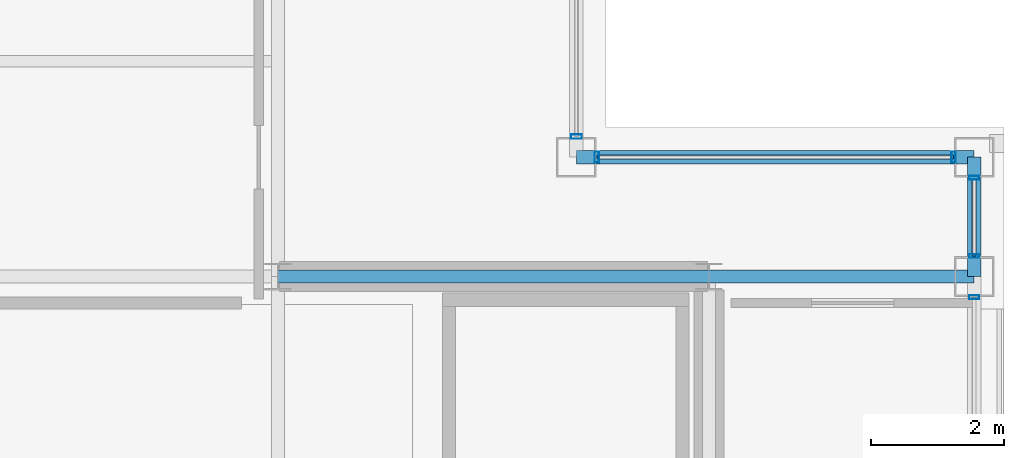
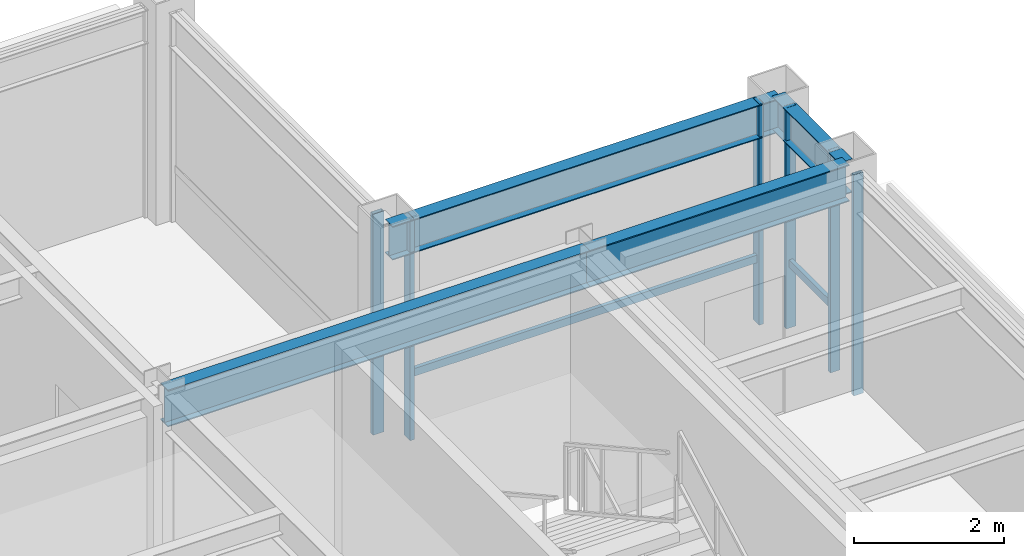
# One storey, part 18 of 28: 8 members, 4 beams, 4 elements without a shape of their own.
"""IFC4 building model written with IfcOpenShell, lengths in metres."""

import ifcopenshell
import ifcopenshell.guid

model = None  # the IFC model being written
_history = None  # IfcOwnerHistory: only IFC2X3 demands one
_inside = {}  # id of a spatial element -> (the spatial element, [elements in it])
_under = {}  # id of a project, library or spatial element -> (it, [spatial elements below it])
_declared = {}  # id of a project -> (the project, [libraries it declares])
_typed = {}  # id of a type object -> (the type object, [elements of that type])
_made_of = {}  # id of a material, layer set ... -> (it, [elements and type objects made of it])


def new_model(schema):
    """Start an empty IFC model of exactly this schema.

    Asked for "IFC4X3", IfcOpenShell would pick the latest addendum, in which some entities
    have other attributes; the version numbers below select the first issue.
    IFC2X3 requires an IfcOwnerHistory on every rooted entity: one is made here for all.
    """
    global model, _history
    if schema == "IFC4X3":
        model = ifcopenshell.file(schema_version=(4, 3, 0, 0))
    else:
        model = ifcopenshell.file(schema=schema)
    _inside.clear()
    _under.clear()
    _declared.clear()
    _typed.clear()
    _made_of.clear()
    _history = None
    if model.schema == "IFC2X3":
        org = make("IfcOrganization", Name="unknown")
        user = make(
            "IfcPersonAndOrganization",
            ThePerson=make("IfcPerson", FamilyName="unknown"),
            TheOrganization=org,
        )
        app = make(
            "IfcApplication",
            ApplicationDeveloper=org,
            Version="unknown",
            ApplicationFullName="unknown",
            ApplicationIdentifier="unknown",
        )
        _history = make(
            "IfcOwnerHistory",
            OwningUser=user,
            OwningApplication=app,
            ChangeAction="ADDED",
            CreationDate=0,
        )
    return model


def make(cls, **values):
    """One entity of the class cls with the attributes given. An attribute that is None is left unset."""
    return model.create_entity(
        cls, **{name: value for name, value in values.items() if value is not None}
    )


def rooted(cls, **values):
    """An entity with a GlobalId (a new one), such as an element, a storey or a relation."""
    return make(cls, GlobalId=ifcopenshell.guid.new(), OwnerHistory=_history, **values)


def si_unit(unit_type, name, prefix=None):
    """IfcSIUnit, for example si_unit("LENGTHUNIT", "METRE", prefix="MILLI")."""
    return make("IfcSIUnit", UnitType=unit_type, Prefix=prefix, Name=name)


def assignment(units):
    """IfcUnitAssignment: the units of a project."""
    return None if units is None else make("IfcUnitAssignment", Units=units)


def point(xyz):
    """IfcCartesianPoint."""
    return None if xyz is None else make("IfcCartesianPoint", Coordinates=xyz)


def direction(xyz):
    """IfcDirection."""
    return None if xyz is None else make("IfcDirection", DirectionRatios=xyz)


def frame(location, z_axis=None, x_axis=None):
    """IfcAxis2Placement3D, a coordinate frame: its origin and axes. An axis left out is left unset."""
    return make(
        "IfcAxis2Placement3D",
        Location=point(location),
        Axis=direction(z_axis),
        RefDirection=direction(x_axis),
    )


def frame_2d(location, x_axis=None):
    """IfcAxis2Placement2D, a coordinate frame in the plane: its origin and x axis."""
    return make(
        "IfcAxis2Placement2D", Location=point(location), RefDirection=direction(x_axis)
    )


def origin():
    """The frame at (0, 0, 0) with its axes left unset."""
    return frame((0.0, 0.0, 0.0))


def origin_2d():
    """The frame at (0, 0) in the plane with its x axis left unset."""
    return frame_2d((0.0, 0.0))


def place(relative_to, where):
    """IfcLocalPlacement: puts the frame where relative to a parent placement (None: the world)."""
    return make(
        "IfcLocalPlacement", PlacementRelTo=relative_to, RelativePlacement=where
    )


def context(
    kind, dimensions, precision=None, world=None, true_north=None, identifier=None
):
    """IfcGeometricRepresentationContext, for example the 3D "Model" context."""
    return make(
        "IfcGeometricRepresentationContext",
        ContextIdentifier=identifier,
        ContextType=kind,
        CoordinateSpaceDimension=dimensions,
        Precision=precision,
        WorldCoordinateSystem=world,
        TrueNorth=true_north,
    )


def subcontext(parent, identifier, kind, view, scale=None):
    """IfcGeometricRepresentationSubContext, for example "Body" below "Model"."""
    return make(
        "IfcGeometricRepresentationSubContext",
        ContextIdentifier=identifier,
        ContextType=kind,
        ParentContext=parent,
        TargetScale=scale,
        TargetView=view,
    )


def project(units=None, contexts=None):
    """IfcProject with its units and contexts."""
    return rooted(
        "IfcProject",
        Name="project",
        RepresentationContexts=contexts,
        UnitsInContext=assignment(units),
    )


def spatial(cls, under=None, at=None, **own):
    """A site, building, storey or space (cls), placed at a placement, below another one or the project."""
    s = rooted(cls, ObjectPlacement=at, **own)
    if under is not None:
        _under.setdefault(under.id(), (under, []))[1].append(s)
    return s


def profile(cls, at=None, kind="AREA", **sizes):
    """A parametric profile (cls). Its sizes go by their IFC names, for example OverallWidth=200.0."""
    return make(cls, ProfileType=kind, Position=at, **sizes)


def hollow_rectangle(**sizes):
    """IfcRectangleHollowProfileDef."""
    return profile("IfcRectangleHollowProfileDef", **sizes)


def i_section(**sizes):
    """IfcIShapeProfileDef."""
    return profile("IfcIShapeProfileDef", **sizes)


def extrude(swept, where, along, depth):
    """IfcExtrudedAreaSolid: the profile swept, set in the frame where, extruded along a direction by depth."""
    return make(
        "IfcExtrudedAreaSolid",
        SweptArea=swept,
        Position=where,
        ExtrudedDirection=direction(along),
        Depth=depth,
    )


def shape(context_of_items, identifier, shape_type, items):
    """IfcShapeRepresentation: the items that make up one representation, for example the "Body"."""
    return make(
        "IfcShapeRepresentation",
        ContextOfItems=context_of_items,
        RepresentationIdentifier=identifier,
        RepresentationType=shape_type,
        Items=items,
    )


def material(Name=None, Category=None):
    """IfcMaterial."""
    return make("IfcMaterial", Name=Name, Category=Category)


def layer(
    of_material, thickness, ventilated=None, Name=None, Category=None, Priority=None
):
    """IfcMaterialLayer: one layer of a wall or slab, of a material (None: an air gap)."""
    return make(
        "IfcMaterialLayer",
        Material=of_material,
        LayerThickness=thickness,
        IsVentilated=ventilated,
        Name=Name,
        Category=Category,
        Priority=Priority,
    )


def layer_set(layers, Name=None):
    """IfcMaterialLayerSet."""
    return make("IfcMaterialLayerSet", MaterialLayers=layers, LayerSetName=Name)


def material_profile(
    of_material, cross_section, Name=None, Category=None, Priority=None
):
    """IfcMaterialProfile: a cross section and its material."""
    return make(
        "IfcMaterialProfile",
        Name=Name,
        Material=of_material,
        Profile=cross_section,
        Priority=Priority,
        Category=Category,
    )


def profile_set(profiles, Name=None, composite=None):
    """IfcMaterialProfileSet."""
    return make(
        "IfcMaterialProfileSet",
        Name=Name,
        MaterialProfiles=profiles,
        CompositeProfile=composite,
    )


def made_of(thing, what):
    """Note that an element or type object is made of a material, layer set ...; save() writes the relation."""
    if what is not None:
        _made_of.setdefault(what.id(), (what, []))[1].append(thing)
    return thing


def type_object(cls, material=None, **own):
    """A type object (cls), such as IfcWallType, which elements share."""
    return made_of(rooted(cls, **own), material)


def element(
    cls,
    number,
    at=None,
    inside=None,
    cuts=None,
    type_object=None,
    material=None,
    context=None,
    identifier="Body",
    shape_type=None,
    held_by="IfcProductDefinitionShape",
    body=None,
    shapes=None,
    **own,
):
    """One element of the class cls, such as IfcWall. Its Tag is "e" and its number.

    at: its placement. inside: the storey or other place that contains it. cuts: it is an
    opening in that element (IfcRelVoidsElement). A single representation is given by context,
    identifier, shape_type and body (its items); several are given by shapes. held_by: the class
    of the entity that holds the representations. save() writes the other relations.
    """
    e = rooted(cls, Tag="e%d" % number, ObjectPlacement=at, **own)
    if body is not None:
        shapes = [shape(context, identifier, shape_type, body)]
    if shapes is not None:
        e.Representation = make(held_by, Representations=shapes)
    if inside is not None:
        _inside.setdefault(inside.id(), (inside, []))[1].append(e)
    if cuts is not None:
        rooted(
            "IfcRelVoidsElement", RelatingBuildingElement=cuts, RelatedOpeningElement=e
        )
    if type_object is not None:
        _typed.setdefault(type_object.id(), (type_object, []))[1].append(e)
    return made_of(e, material)


def aggregate(whole, parts):
    """IfcRelAggregates: a whole, such as a stair, and the parts it consists of."""
    return rooted("IfcRelAggregates", RelatingObject=whole, RelatedObjects=parts)


def save(model, path):
    """Write the relations noted so far, then the file.

    IfcRelAggregates (storeys below a building ...), IfcRelContainedInSpatialStructure (elements
    in a storey), IfcRelDefinesByType, IfcRelAssociatesMaterial and IfcRelDeclares: one each for
    every whole, place, type object, material and project.
    """
    for whole, parts in _under.values():
        aggregate(whole, parts)
    for where, things in _inside.values():
        rooted(
            "IfcRelContainedInSpatialStructure",
            RelatedElements=things,
            RelatingStructure=where,
        )
    for kind, things in _typed.values():
        rooted("IfcRelDefinesByType", RelatedObjects=things, RelatingType=kind)
    for what, things in _made_of.values():
        rooted("IfcRelAssociatesMaterial", RelatedObjects=things, RelatingMaterial=what)
    for by, libraries in _declared.values():
        rooted("IfcRelDeclares", RelatingContext=by, RelatedDefinitions=libraries)
    model.write(path)


model = new_model("IFC4")

# Units and contexts
model_context = context("Model", 3, precision=1e-05, world=origin(), true_north=direction((0.0, 1.0)))
body_context = subcontext(model_context, "Body", "Model", "MODEL_VIEW")
ifc_project = project(units=[si_unit("LENGTHUNIT", "METRE"), si_unit("AREAUNIT", "SQUARE_METRE"), si_unit("VOLUMEUNIT", "CUBIC_METRE"), si_unit("PLANEANGLEUNIT", "RADIAN"), si_unit("MASSUNIT", "GRAM", prefix="KILO")], contexts=[model_context])

# Site, building, storey
site_placement = place(None, origin())
site = spatial("IfcSite", under=ifc_project, at=site_placement, CompositionType="ELEMENT")
building_placement = place(site_placement, origin())
building = spatial("IfcBuilding", under=site, at=building_placement, Name="Brelmoor Portico Tower", CompositionType="ELEMENT")
storey_placement = place(building_placement, frame((0.0, 0.0, 265.199951171875)))
storey = spatial("IfcBuildingStorey", under=building, at=storey_placement, Name="L70", CompositionType="ELEMENT", Elevation=265.199951171875)

# Beams
ifc_material_1 = material(Name="Steel Q355B", Category="steel")
ifc_material_profile_1 = material_profile(ifc_material_1, i_section(OverallWidth=0.199951171875, OverallDepth=0.60009765625, WebThickness=0.010986328125, FlangeThickness=0.01708984375, at=origin_2d()), Name="HN 600x200x11x17")
ifc_profile_set_1 = profile_set([ifc_material_profile_1], Name="Steel Q355B")
beam_type_1 = type_object("IfcBeamType", Name="BM-PG-600", PredefinedType="BEAM", material=ifc_profile_set_1)
beam_1_placement = place(storey_placement, frame((8.050048828125, 9.75, 3.10009765625), z_axis=(1.0, 0.0, 0.0), x_axis=(0.0, 1.0, 0.0)))
element("IfcBeam", 1, at=beam_1_placement, inside=storey, type_object=beam_type_1, Name="L70 Primary Floor Girder PG-22", PredefinedType="BEAM", context=body_context, shape_type="SweptSolid", body=[
    extrude(i_section(OverallWidth=0.199951171875, OverallDepth=0.60009765625, WebThickness=0.010986328125, FlangeThickness=0.01708984375, at=origin_2d()), origin(), (0.0, 0.0, 1.0), 6.5),
])
beam_2_placement = place(storey_placement, frame((14.550048828125, 9.75, 3.10009765625), z_axis=(1.0, 0.0, 0.0), x_axis=(0.0, 1.0, 0.0)))
element("IfcBeam", 2, at=beam_2_placement, inside=storey, type_object=beam_type_1, Name="L70 Primary Floor Girder PG-23", PredefinedType="BEAM", context=body_context, shape_type="SweptSolid", body=[
    extrude(i_section(OverallWidth=0.199951171875, OverallDepth=0.60009765625, WebThickness=0.010986328125, FlangeThickness=0.01708984375, at=origin_2d()), origin(), (0.0, 0.0, 1.0), 4.0),
])
ifc_material_profile_2 = material_profile(ifc_material_1, i_section(OverallWidth=0.199951171875, OverallDepth=0.550048828125, WebThickness=0.010009765625, FlangeThickness=0.01611328125, at=origin_2d()), Name="HN 550x200x10x16")
ifc_profile_set_2 = profile_set([ifc_material_profile_2], Name="Steel Q355B")
beam_type_2 = type_object("IfcBeamType", Name="BM-SP-550", PredefinedType="SPANDREL", material=ifc_profile_set_2)
beam_3_placement = place(storey_placement, frame((12.550048828125, 11.550048828125, 3.125), z_axis=(1.0, 0.0, 0.0), x_axis=(0.0, 1.0, 0.0)))
element("IfcBeam", 3, at=beam_3_placement, inside=storey, type_object=beam_type_2, Name="L70 Perimeter Spandrel Beam SP-07", PredefinedType="SPANDREL", context=body_context, shape_type="SweptSolid", body=[
    extrude(i_section(OverallWidth=0.199951171875, OverallDepth=0.550048828125, WebThickness=0.010009765625, FlangeThickness=0.01611328125, at=origin_2d()), origin(), (0.0, 0.0, 1.0), 6.0),
])
beam_4_placement = place(storey_placement, frame((18.550048828125, 9.75, 3.125), z_axis=(0.0, 1.0, 0.0), x_axis=(-1.0, 0.0, 0.0)))
element("IfcBeam", 4, at=beam_4_placement, inside=storey, type_object=beam_type_2, Name="L70 Perimeter Spandrel Beam SP-20", PredefinedType="SPANDREL", context=body_context, shape_type="SweptSolid", body=[
    extrude(i_section(OverallWidth=0.199951171875, OverallDepth=0.550048828125, WebThickness=0.010009765625, FlangeThickness=0.01611328125, at=origin_2d()), origin(), (0.0, 0.0, 1.0), 1.800048828125),
])

# Curtain wall, member
ifc_material_2 = material(Name="Anodised Aluminium Alloy 6063-T6", Category="aluminium")
ifc_layer_1 = layer(ifc_material_2, 0.179931640625)
ifc_layer_set_1 = layer_set([ifc_layer_1], Name="Anodised Aluminium Alloy 6063-T6")
curtain_wall_type_1 = type_object("IfcCurtainWallType", Name="CW-TOWER-Z4-XB", PredefinedType="NOTDEFINED", material=ifc_layer_set_1)
curtain_wall_1_placement = place(storey_placement, origin())
curtain_wall_1 = element("IfcCurtainWall", 5, at=curtain_wall_1_placement, inside=storey, type_object=curtain_wall_type_1, Name="L70 Curtain Wall CW-L70-04-2", PredefinedType="NOTDEFINED")
ifc_material_profile_3 = material_profile(ifc_material_2, hollow_rectangle(XDim=0.06005859375, YDim=0.14990234375, WallThickness=0.00390625, at=origin_2d()), Name="ALU MULLION 60x150")
ifc_profile_set_3 = profile_set([ifc_material_profile_3], Name="Anodised Aluminium Alloy 6063-T6")
member_type_1 = type_object("IfcMemberType", Name="MB-CW-MULL-150", PredefinedType="MULLION", material=ifc_profile_set_3)
member_1_placement = place(storey_placement, frame((18.550048828125, 9.43994140625, -0.199951171875), z_axis=(0.0, 0.0, 1.0), x_axis=(0.0, 1.0, 0.0)))
member_1 = element("IfcMember", 6, at=member_1_placement, type_object=member_type_1, Name="CW-L70-04-2 Mullion 02", PredefinedType="MULLION", context=body_context, shape_type="SweptSolid", body=[
    extrude(hollow_rectangle(XDim=0.06005859375, YDim=0.14990234375, WallThickness=0.00390625, at=origin_2d()), origin(), (0.0, 0.0, 1.0), 3.60009765625),
])
aggregate(curtain_wall_1, [member_1])

# Curtain wall, members
ifc_layer_2 = layer(ifc_material_2, 0.179931640625)
ifc_layer_set_2 = layer_set([ifc_layer_2], Name="Anodised Aluminium Alloy 6063-T6")
curtain_wall_type_2 = type_object("IfcCurtainWallType", Name="CW-TOWER-Z4", PredefinedType="NOTDEFINED", material=ifc_layer_set_2)
curtain_wall_2_placement = place(storey_placement, origin())
curtain_wall_2 = element("IfcCurtainWall", 7, at=curtain_wall_2_placement, inside=storey, type_object=curtain_wall_type_2, Name="L70 Curtain Wall CW-L70-04-3", PredefinedType="NOTDEFINED")
member_2_placement = place(storey_placement, frame((18.550048828125, 10.06005859375, -0.199951171875), z_axis=(0.0, 0.0, 1.0), x_axis=(0.0, 1.0, 0.0)))
member_2 = element("IfcMember", 8, at=member_2_placement, type_object=member_type_1, Name="CW-L70-04-3 Mullion 00", PredefinedType="MULLION", context=body_context, shape_type="SweptSolid", body=[
    extrude(hollow_rectangle(XDim=0.06005859375, YDim=0.14990234375, WallThickness=0.00390625, at=origin_2d()), origin(), (0.0, 0.0, 1.0), 3.60009765625),
])
member_3_placement = place(storey_placement, frame((18.550048828125, 11.239990234375, -0.199951171875), z_axis=(0.0, 0.0, 1.0), x_axis=(0.0, 1.0, 0.0)))
member_3 = element("IfcMember", 9, at=member_3_placement, type_object=member_type_1, Name="CW-L70-04-3 Mullion 01", PredefinedType="MULLION", context=body_context, shape_type="SweptSolid", body=[
    extrude(hollow_rectangle(XDim=0.06005859375, YDim=0.14990234375, WallThickness=0.00390625, at=origin_2d()), origin(), (0.0, 0.0, 1.0), 3.60009765625),
])

ifc_layer_3 = layer(ifc_material_2, 0.179931640625)
ifc_layer_set_3 = layer_set([ifc_layer_3], Name="Anodised Aluminium Alloy 6063-T6")
curtain_wall_type_3 = type_object("IfcCurtainWallType", Name="CW-NOTCH-CHAMFER", PredefinedType="NOTDEFINED", material=ifc_layer_set_3)
curtain_wall_3_placement = place(storey_placement, origin())
curtain_wall_3 = element("IfcCurtainWall", 10, at=curtain_wall_3_placement, inside=storey, type_object=curtain_wall_type_3, Name="L70 Curtain Wall CWN-L70-NEH", PredefinedType="NOTDEFINED")
ifc_material_profile_4 = material_profile(ifc_material_2, hollow_rectangle(XDim=0.06494140625, YDim=0.1650390625, WallThickness=0.00390625, at=origin_2d()), Name="ALU MULLION 65x165")
ifc_profile_set_4 = profile_set([ifc_material_profile_4], Name="Anodised Aluminium Alloy 6063-T6")
member_type_2 = type_object("IfcMemberType", Name="MB-CW-MULL-165", PredefinedType="MULLION", material=ifc_profile_set_4)
member_4_placement = place(storey_placement, frame((12.860107421875, 11.550048828125, -0.199951171875), z_axis=(0.0, 0.0, 1.0), x_axis=(1.0, 0.0, 0.0)))
member_4 = element("IfcMember", 11, at=member_4_placement, type_object=member_type_2, Name="CWN-L70-NEH Mullion 00", PredefinedType="MULLION", context=body_context, shape_type="SweptSolid", body=[
    extrude(hollow_rectangle(XDim=0.06494140625, YDim=0.1650390625, WallThickness=0.00390625, at=origin_2d()), origin(), (0.0, 0.0, 1.0), 3.60009765625),
])
member_5_placement = place(storey_placement, frame((18.239990234375, 11.550048828125, -0.199951171875), z_axis=(0.0, 0.0, 1.0), x_axis=(1.0, 0.0, 0.0)))
member_5 = element("IfcMember", 12, at=member_5_placement, type_object=member_type_2, Name="CWN-L70-NEH Mullion 01", PredefinedType="MULLION", context=body_context, shape_type="SweptSolid", body=[
    extrude(hollow_rectangle(XDim=0.06494140625, YDim=0.1650390625, WallThickness=0.00390625, at=origin_2d()), origin(), (0.0, 0.0, 1.0), 3.60009765625),
])

# Curtain wall, member
curtain_wall_4_placement = place(storey_placement, origin())
curtain_wall_4 = element("IfcCurtainWall", 13, at=curtain_wall_4_placement, inside=storey, type_object=curtain_wall_type_3, Name="L70 Curtain Wall CWN-L70-NEV", PredefinedType="NOTDEFINED")
member_6_placement = place(storey_placement, frame((12.550048828125, 11.860107421875, -0.199951171875), z_axis=(0.0, 0.0, 1.0), x_axis=(0.0, 1.0, 0.0)))
member_6 = element("IfcMember", 14, at=member_6_placement, type_object=member_type_2, Name="CWN-L70-NEV Mullion 00", PredefinedType="MULLION", context=body_context, shape_type="SweptSolid", body=[
    extrude(hollow_rectangle(XDim=0.06494140625, YDim=0.1650390625, WallThickness=0.00390625, at=origin_2d()), origin(), (0.0, 0.0, 1.0), 3.60009765625),
])
aggregate(curtain_wall_4, [member_6])

# Member
ifc_material_profile_5 = material_profile(ifc_material_2, hollow_rectangle(XDim=0.06005859375, YDim=0.125, WallThickness=0.00341796875, at=origin_2d()), Name="ALU TRANSOM 60x125")
ifc_profile_set_5 = profile_set([ifc_material_profile_5], Name="Anodised Aluminium Alloy 6063-T6")
member_type_3 = type_object("IfcMemberType", Name="MB-CW-TRAN-125", PredefinedType="USERDEFINED", material=ifc_profile_set_5)
member_7_placement = place(storey_placement, frame((18.550048828125, 10.06005859375, 0.85009765625), z_axis=(0.0, 1.0, 0.0), x_axis=(-1.0, 0.0, 0.0)))
member_7 = element("IfcMember", 15, at=member_7_placement, type_object=member_type_3, Name="CW-L70-04-3 Transom 1-00", ObjectType="TRANSOM", PredefinedType="USERDEFINED", context=body_context, shape_type="SweptSolid", body=[
    extrude(hollow_rectangle(XDim=0.06005859375, YDim=0.125, WallThickness=0.00341796875, at=origin_2d()), origin(), (0.0, 0.0, 1.0), 1.179931640625),
])

aggregate(curtain_wall_2, [member_2, member_3, member_7])

member_8_placement = place(storey_placement, frame((12.860107421875, 11.550048828125, 0.85009765625), z_axis=(1.0, 0.0, 0.0), x_axis=(0.0, 1.0, 0.0)))
member_8 = element("IfcMember", 16, at=member_8_placement, type_object=member_type_3, Name="CWN-L70-NEH Transom 1-00", ObjectType="TRANSOM", PredefinedType="USERDEFINED", context=body_context, shape_type="SweptSolid", body=[
    extrude(hollow_rectangle(XDim=0.06005859375, YDim=0.125, WallThickness=0.00341796875, at=origin_2d()), origin(), (0.0, 0.0, 1.0), 5.3798828125),
])

aggregate(curtain_wall_3, [member_4, member_5, member_8])

save(model, "model.ifc")
